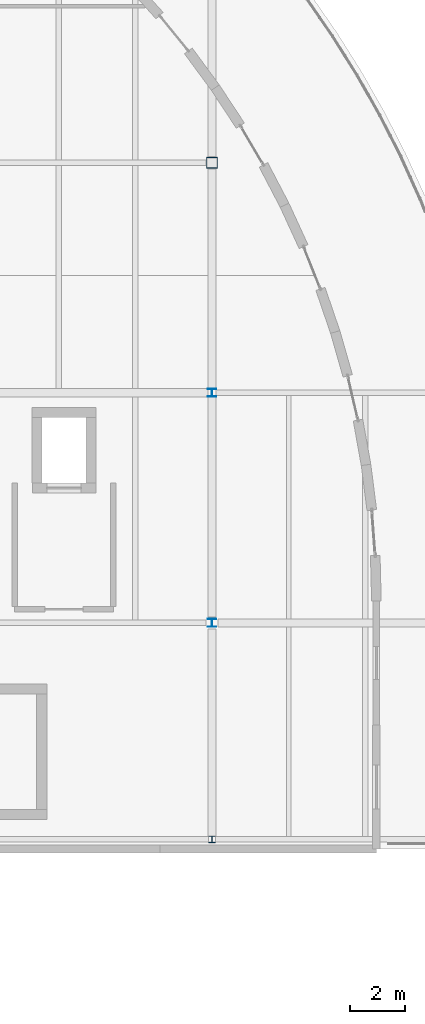
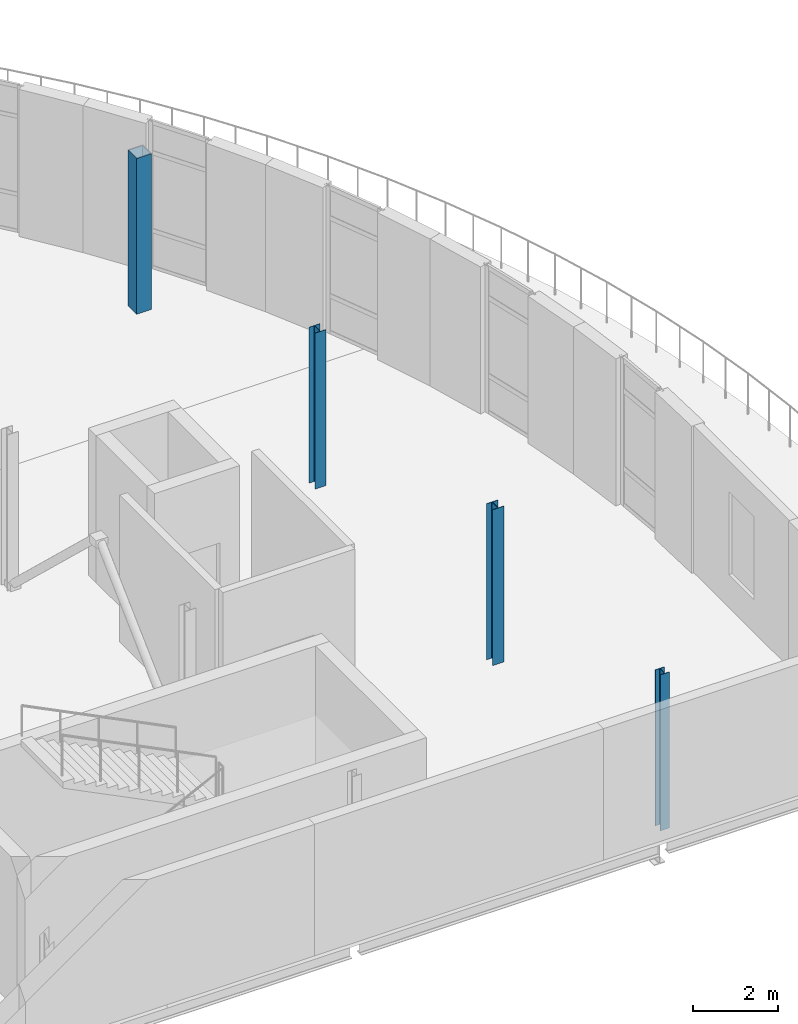
# One storey, part 4 of 40: 4 columns.
"""IFC4 building model written with IfcOpenShell, lengths in metres."""

import ifcopenshell
import ifcopenshell.guid

model = None  # the IFC model being written
_history = None  # IfcOwnerHistory: only IFC2X3 demands one
_inside = {}  # id of a spatial element -> (the spatial element, [elements in it])
_under = {}  # id of a project, library or spatial element -> (it, [spatial elements below it])
_declared = {}  # id of a project -> (the project, [libraries it declares])
_typed = {}  # id of a type object -> (the type object, [elements of that type])
_made_of = {}  # id of a material, layer set ... -> (it, [elements and type objects made of it])


def new_model(schema):
    """Start an empty IFC model of exactly this schema.

    Asked for "IFC4X3", IfcOpenShell would pick the latest addendum, in which some entities
    have other attributes; the version numbers below select the first issue.
    IFC2X3 requires an IfcOwnerHistory on every rooted entity: one is made here for all.
    """
    global model, _history
    if schema == "IFC4X3":
        model = ifcopenshell.file(schema_version=(4, 3, 0, 0))
    else:
        model = ifcopenshell.file(schema=schema)
    _inside.clear()
    _under.clear()
    _declared.clear()
    _typed.clear()
    _made_of.clear()
    _history = None
    if model.schema == "IFC2X3":
        org = make("IfcOrganization", Name="unknown")
        user = make(
            "IfcPersonAndOrganization",
            ThePerson=make("IfcPerson", FamilyName="unknown"),
            TheOrganization=org,
        )
        app = make(
            "IfcApplication",
            ApplicationDeveloper=org,
            Version="unknown",
            ApplicationFullName="unknown",
            ApplicationIdentifier="unknown",
        )
        _history = make(
            "IfcOwnerHistory",
            OwningUser=user,
            OwningApplication=app,
            ChangeAction="ADDED",
            CreationDate=0,
        )
    return model


def make(cls, **values):
    """One entity of the class cls with the attributes given. An attribute that is None is left unset."""
    return model.create_entity(
        cls, **{name: value for name, value in values.items() if value is not None}
    )


def rooted(cls, **values):
    """An entity with a GlobalId (a new one), such as an element, a storey or a relation."""
    return make(cls, GlobalId=ifcopenshell.guid.new(), OwnerHistory=_history, **values)


def si_unit(unit_type, name, prefix=None):
    """IfcSIUnit, for example si_unit("LENGTHUNIT", "METRE", prefix="MILLI")."""
    return make("IfcSIUnit", UnitType=unit_type, Prefix=prefix, Name=name)


def assignment(units):
    """IfcUnitAssignment: the units of a project."""
    return None if units is None else make("IfcUnitAssignment", Units=units)


def point(xyz):
    """IfcCartesianPoint."""
    return None if xyz is None else make("IfcCartesianPoint", Coordinates=xyz)


def direction(xyz):
    """IfcDirection."""
    return None if xyz is None else make("IfcDirection", DirectionRatios=xyz)


def frame(location, z_axis=None, x_axis=None):
    """IfcAxis2Placement3D, a coordinate frame: its origin and axes. An axis left out is left unset."""
    return make(
        "IfcAxis2Placement3D",
        Location=point(location),
        Axis=direction(z_axis),
        RefDirection=direction(x_axis),
    )


def frame_2d(location, x_axis=None):
    """IfcAxis2Placement2D, a coordinate frame in the plane: its origin and x axis."""
    return make(
        "IfcAxis2Placement2D", Location=point(location), RefDirection=direction(x_axis)
    )


def origin():
    """The frame at (0, 0, 0) with its axes left unset."""
    return frame((0.0, 0.0, 0.0))


def origin_2d():
    """The frame at (0, 0) in the plane with its x axis left unset."""
    return frame_2d((0.0, 0.0))


def place(relative_to, where):
    """IfcLocalPlacement: puts the frame where relative to a parent placement (None: the world)."""
    return make(
        "IfcLocalPlacement", PlacementRelTo=relative_to, RelativePlacement=where
    )


def context(
    kind, dimensions, precision=None, world=None, true_north=None, identifier=None
):
    """IfcGeometricRepresentationContext, for example the 3D "Model" context."""
    return make(
        "IfcGeometricRepresentationContext",
        ContextIdentifier=identifier,
        ContextType=kind,
        CoordinateSpaceDimension=dimensions,
        Precision=precision,
        WorldCoordinateSystem=world,
        TrueNorth=true_north,
    )


def subcontext(parent, identifier, kind, view, scale=None):
    """IfcGeometricRepresentationSubContext, for example "Body" below "Model"."""
    return make(
        "IfcGeometricRepresentationSubContext",
        ContextIdentifier=identifier,
        ContextType=kind,
        ParentContext=parent,
        TargetScale=scale,
        TargetView=view,
    )


def project(units=None, contexts=None):
    """IfcProject with its units and contexts."""
    return rooted(
        "IfcProject",
        Name="project",
        RepresentationContexts=contexts,
        UnitsInContext=assignment(units),
    )


def spatial(cls, under=None, at=None, **own):
    """A site, building, storey or space (cls), placed at a placement, below another one or the project."""
    s = rooted(cls, ObjectPlacement=at, **own)
    if under is not None:
        _under.setdefault(under.id(), (under, []))[1].append(s)
    return s


def profile(cls, at=None, kind="AREA", **sizes):
    """A parametric profile (cls). Its sizes go by their IFC names, for example OverallWidth=200.0."""
    return make(cls, ProfileType=kind, Position=at, **sizes)


def hollow_rectangle(**sizes):
    """IfcRectangleHollowProfileDef."""
    return profile("IfcRectangleHollowProfileDef", **sizes)


def i_section(**sizes):
    """IfcIShapeProfileDef."""
    return profile("IfcIShapeProfileDef", **sizes)


def extrude(swept, where, along, depth):
    """IfcExtrudedAreaSolid: the profile swept, set in the frame where, extruded along a direction by depth."""
    return make(
        "IfcExtrudedAreaSolid",
        SweptArea=swept,
        Position=where,
        ExtrudedDirection=direction(along),
        Depth=depth,
    )


def shape(context_of_items, identifier, shape_type, items):
    """IfcShapeRepresentation: the items that make up one representation, for example the "Body"."""
    return make(
        "IfcShapeRepresentation",
        ContextOfItems=context_of_items,
        RepresentationIdentifier=identifier,
        RepresentationType=shape_type,
        Items=items,
    )


def material(Name=None, Category=None):
    """IfcMaterial."""
    return make("IfcMaterial", Name=Name, Category=Category)


def material_profile(
    of_material, cross_section, Name=None, Category=None, Priority=None
):
    """IfcMaterialProfile: a cross section and its material."""
    return make(
        "IfcMaterialProfile",
        Name=Name,
        Material=of_material,
        Profile=cross_section,
        Priority=Priority,
        Category=Category,
    )


def profile_set(profiles, Name=None, composite=None):
    """IfcMaterialProfileSet."""
    return make(
        "IfcMaterialProfileSet",
        Name=Name,
        MaterialProfiles=profiles,
        CompositeProfile=composite,
    )


def made_of(thing, what):
    """Note that an element or type object is made of a material, layer set ...; save() writes the relation."""
    if what is not None:
        _made_of.setdefault(what.id(), (what, []))[1].append(thing)
    return thing


def type_object(cls, material=None, **own):
    """A type object (cls), such as IfcWallType, which elements share."""
    return made_of(rooted(cls, **own), material)


def element(
    cls,
    number,
    at=None,
    inside=None,
    cuts=None,
    type_object=None,
    material=None,
    context=None,
    identifier="Body",
    shape_type=None,
    held_by="IfcProductDefinitionShape",
    body=None,
    shapes=None,
    **own,
):
    """One element of the class cls, such as IfcWall. Its Tag is "e" and its number.

    at: its placement. inside: the storey or other place that contains it. cuts: it is an
    opening in that element (IfcRelVoidsElement). A single representation is given by context,
    identifier, shape_type and body (its items); several are given by shapes. held_by: the class
    of the entity that holds the representations. save() writes the other relations.
    """
    e = rooted(cls, Tag="e%d" % number, ObjectPlacement=at, **own)
    if body is not None:
        shapes = [shape(context, identifier, shape_type, body)]
    if shapes is not None:
        e.Representation = make(held_by, Representations=shapes)
    if inside is not None:
        _inside.setdefault(inside.id(), (inside, []))[1].append(e)
    if cuts is not None:
        rooted(
            "IfcRelVoidsElement", RelatingBuildingElement=cuts, RelatedOpeningElement=e
        )
    if type_object is not None:
        _typed.setdefault(type_object.id(), (type_object, []))[1].append(e)
    return made_of(e, material)


def aggregate(whole, parts):
    """IfcRelAggregates: a whole, such as a stair, and the parts it consists of."""
    return rooted("IfcRelAggregates", RelatingObject=whole, RelatedObjects=parts)


def save(model, path):
    """Write the relations noted so far, then the file.

    IfcRelAggregates (storeys below a building ...), IfcRelContainedInSpatialStructure (elements
    in a storey), IfcRelDefinesByType, IfcRelAssociatesMaterial and IfcRelDeclares: one each for
    every whole, place, type object, material and project.
    """
    for whole, parts in _under.values():
        aggregate(whole, parts)
    for where, things in _inside.values():
        rooted(
            "IfcRelContainedInSpatialStructure",
            RelatedElements=things,
            RelatingStructure=where,
        )
    for kind, things in _typed.values():
        rooted("IfcRelDefinesByType", RelatedObjects=things, RelatingType=kind)
    for what, things in _made_of.values():
        rooted("IfcRelAssociatesMaterial", RelatedObjects=things, RelatingMaterial=what)
    for by, libraries in _declared.values():
        rooted("IfcRelDeclares", RelatingContext=by, RelatedDefinitions=libraries)
    model.write(path)


model = new_model("IFC4")

# Units and contexts
model_context = context("Model", 3, precision=1e-05, world=origin(), true_north=direction((0.0, 1.0)))
body_context = subcontext(model_context, "Body", "Model", "MODEL_VIEW")
ifc_project = project(units=[si_unit("LENGTHUNIT", "METRE"), si_unit("AREAUNIT", "SQUARE_METRE"), si_unit("VOLUMEUNIT", "CUBIC_METRE"), si_unit("PLANEANGLEUNIT", "RADIAN"), si_unit("MASSUNIT", "GRAM", prefix="KILO"), si_unit("THERMODYNAMICTEMPERATUREUNIT", "KELVIN")], contexts=[model_context])

# Site, building, storey
site_placement = place(None, origin())
site = spatial("IfcSite", under=ifc_project, at=site_placement, CompositionType="ELEMENT")
building_placement = place(site_placement, origin())
building = spatial("IfcBuilding", under=site, at=building_placement, Name="Lustrewick Department Store", CompositionType="ELEMENT")
storey_placement = place(building_placement, frame((0.0, 0.0, 31.800048828125)))
storey = spatial("IfcBuildingStorey", under=building, at=storey_placement, Name="L07", CompositionType="ELEMENT", Elevation=31.800048828125)

# Columns
ifc_material = material(Name="Structural steel Q355B", Category="steel")
ifc_material_profile_1 = material_profile(ifc_material, hollow_rectangle(XDim=0.39990234375, YDim=0.39990234375, WallThickness=0.01611328125, at=origin_2d()), Name="BOX 400x400x16")
ifc_profile_set_1 = profile_set([ifc_material_profile_1], Name="Structural steel Q355B")
column_type_1 = type_object("IfcColumnType", Name="C08", PredefinedType="COLUMN", material=ifc_profile_set_1)
column_1_placement = place(storey_placement, frame((142.800048828125, 75.60009765625, 0.0), z_axis=(0.0, 0.0, 1.0), x_axis=(1.0, 0.0, 0.0)))
element("IfcColumn", 1, at=column_1_placement, inside=storey, type_object=column_type_1, Name="L07 V4 Column C08", PredefinedType="COLUMN", context=body_context, shape_type="SweptSolid", body=[
    extrude(hollow_rectangle(XDim=0.39990234375, YDim=0.39990234375, WallThickness=0.01611328125, at=origin_2d()), origin(), (0.0, 0.0, 1.0), 4.5),
])
ifc_material_profile_2 = material_profile(ifc_material, i_section(OverallWidth=0.302001953125, OverallDepth=0.2939453125, WebThickness=0.011962890625, FlangeThickness=0.011962890625, FilletRadius=0.01806640625, at=origin_2d()), Name="HW 294x302x12x12")
ifc_profile_set_2 = profile_set([ifc_material_profile_2], Name="Structural steel Q355B")
column_type_2 = type_object("IfcColumnType", Name="C16", PredefinedType="COLUMN", material=ifc_profile_set_2)
for number, where, z_axis, x_axis, name in (
    (2, (142.800048828125, 58.800048828125, 0.0), (0.0, 0.0, 1.0), (1.0, 0.0, 0.0), "L07 V4 Column C16"),
    (3, (142.800048828125, 67.199951171875, 0.0), (0.0, 0.0, 1.0), (1.0, 0.0, 0.0), "L07 V4 Column C16"),
):
    element("IfcColumn", number, at=place(storey_placement, frame(where, z_axis=z_axis, x_axis=x_axis)), inside=storey, type_object=column_type_2, Name=name, PredefinedType="COLUMN", context=body_context, shape_type="SweptSolid", body=[
        extrude(i_section(OverallWidth=0.302001953125, OverallDepth=0.2939453125, WebThickness=0.011962890625, FlangeThickness=0.011962890625, FilletRadius=0.01806640625, at=origin_2d()), origin(), (0.0, 0.0, 1.0), 4.5),
    ])
ifc_material_profile_3 = material_profile(ifc_material, i_section(OverallWidth=0.25, OverallDepth=0.25, WebThickness=0.009033203125, FlangeThickness=0.013916015625, FilletRadius=0.01611328125, at=origin_2d()), Name="HW 250x250x9x14")
ifc_profile_set_3 = profile_set([ifc_material_profile_3], Name="Structural steel Q355B")
column_type_3 = type_object("IfcColumnType", Name="CE08", PredefinedType="COLUMN", material=ifc_profile_set_3)
column_2_placement = place(storey_placement, frame((142.800048828125, 50.89990234375, 0.0), z_axis=(0.0, 0.0, 1.0), x_axis=(1.0, 0.0, 0.0)))
element("IfcColumn", 4, at=column_2_placement, inside=storey, type_object=column_type_3, Name="L07 V4 Column CE08", PredefinedType="COLUMN", context=body_context, shape_type="SweptSolid", body=[
    extrude(i_section(OverallWidth=0.25, OverallDepth=0.25, WebThickness=0.009033203125, FlangeThickness=0.013916015625, FilletRadius=0.01611328125, at=origin_2d()), origin(), (0.0, 0.0, 1.0), 4.5),
])

save(model, "model.ifc")
